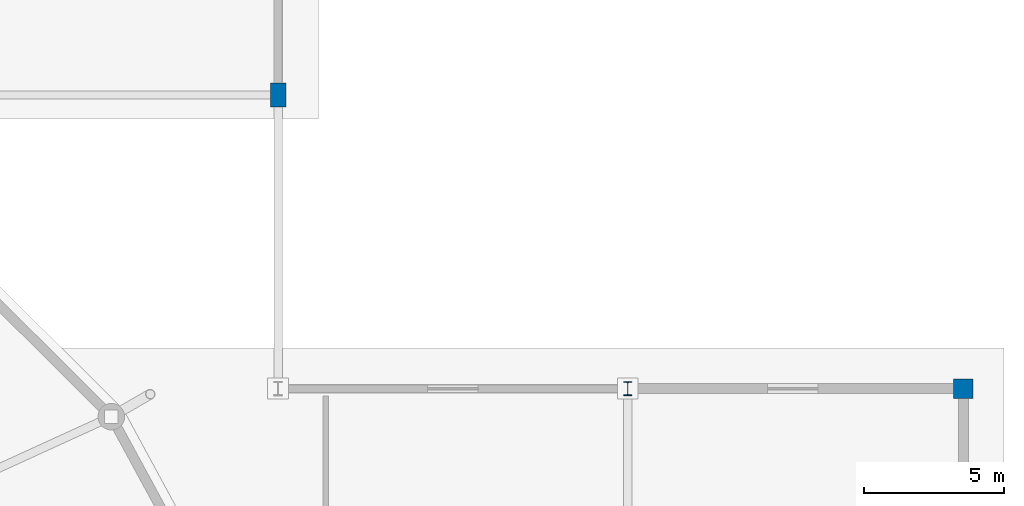
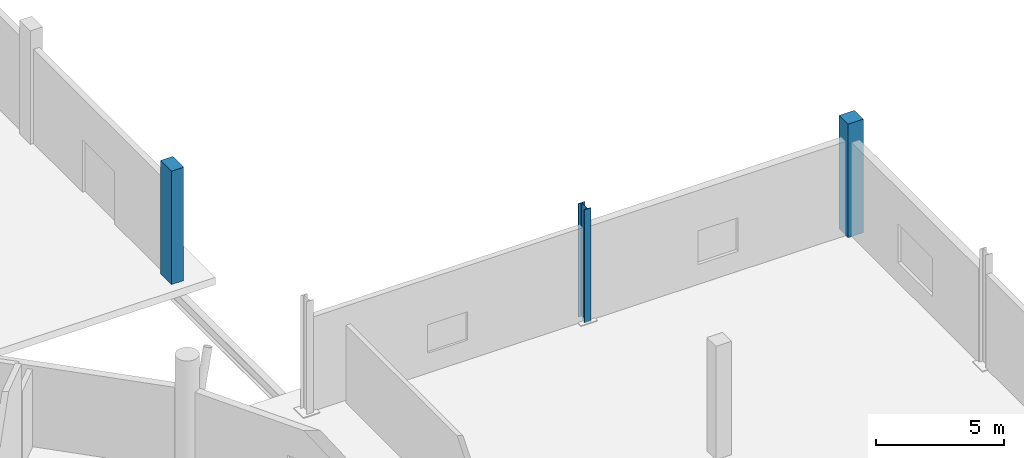
# One storey, part 16 of 82: 3 columns.
"""IFC4 building model written with IfcOpenShell, lengths in metres."""

from ifc_helpers import new_model, si_unit, direction, frame, origin, origin_2d, place, context, subcontext, project, spatial, rectangle, i_section, extrude, material, material_profile, profile_set, type_object, element, save


model = new_model("IFC4")

# Units and contexts
model_context = context("Model", 3, precision=1e-05, world=origin(), true_north=direction((0.0, 1.0)))
body_context = subcontext(model_context, "Body", "Model", "MODEL_VIEW")
ifc_project = project(units=[si_unit("LENGTHUNIT", "METRE"), si_unit("AREAUNIT", "SQUARE_METRE"), si_unit("VOLUMEUNIT", "CUBIC_METRE"), si_unit("PLANEANGLEUNIT", "RADIAN"), si_unit("MASSUNIT", "GRAM", prefix="KILO")], contexts=[model_context])

# Site, building, storey
site_placement = place(None, origin())
site = spatial("IfcSite", under=ifc_project, at=site_placement, CompositionType="ELEMENT")
building_placement = place(site_placement, origin())
building = spatial("IfcBuilding", under=site, at=building_placement, Name="Zlatoyarsky Gate Stadium", CompositionType="ELEMENT")
storey_placement = place(building_placement, origin())
storey = spatial("IfcBuildingStorey", under=building, at=storey_placement, Name="L00", CompositionType="ELEMENT", Elevation=0.0)

# Columns
ifc_material_1 = material(Name="Concrete C40/50", Category="concrete")
ifc_material_profile_1 = material_profile(ifc_material_1, rectangle(XDim=0.699951171875, YDim=0.699951171875, at=origin_2d()), Name="RC COL 700X700")
ifc_profile_set_1 = profile_set([ifc_material_profile_1], Name="Concrete C40/50")
column_type_1 = type_object("IfcColumnType", Name="CONCRETE COLUMN 700X700", PredefinedType="COLUMN", material=ifc_profile_set_1)
column_1_placement = place(storey_placement, frame((222.0, 116.5, 0.0), z_axis=(0.0, 0.0, 1.0), x_axis=(1.0, 0.0, 0.0)))
element("IfcColumn", 1, at=column_1_placement, inside=storey, type_object=column_type_1, Name="Column RC-C70 WG-19-L on L00", PredefinedType="COLUMN", context=body_context, shape_type="SweptSolid", body=[
    extrude(rectangle(XDim=0.699951171875, YDim=0.699951171875, at=origin_2d()), origin(), (0.0, 0.0, 1.0), 5.39990234375),
])
ifc_material_profile_2 = material_profile(ifc_material_1, rectangle(XDim=0.550048828125, YDim=0.85009765625, at=origin_2d()), Name="RC PILASTER 550X850")
ifc_profile_set_2 = profile_set([ifc_material_profile_2], Name="Concrete C40/50")
column_type_2 = type_object("IfcColumnType", Name="CONCRETE PORTAL PILASTER 550X850", PredefinedType="PILASTER", material=ifc_profile_set_2)
column_2_placement = place(storey_placement, frame((197.5, 127.0, 0.0), z_axis=(0.0, 0.0, 1.0), x_axis=(1.0, 0.0, 0.0)))
element("IfcColumn", 2, at=column_2_placement, inside=storey, type_object=column_type_2, Name="Column RC-PL85 WG-17-M on L00", PredefinedType="PILASTER", context=body_context, shape_type="SweptSolid", body=[
    extrude(rectangle(XDim=0.550048828125, YDim=0.85009765625, at=origin_2d()), origin(), (0.0, 0.0, 1.0), 5.39990234375),
])
ifc_material_2 = material(Name="Steel S355", Category="steel")
ifc_material_profile_3 = material_profile(ifc_material_2, i_section(OverallWidth=0.300048828125, OverallDepth=0.5, WebThickness=0.014404296875, FlangeThickness=0.028076171875, FilletRadius=0.027099609375, at=origin_2d()), Name="HEB 500")
ifc_profile_set_3 = profile_set([ifc_material_profile_3], Name="Steel S355")
column_type_3 = type_object("IfcColumnType", Name="STEEL COLUMN HEB 500", PredefinedType="COLUMN", material=ifc_profile_set_3)
column_3_placement = place(storey_placement, frame((210.0, 116.5, 0.0), z_axis=(0.0, 0.0, 1.0), x_axis=(1.0, 0.0, 0.0)))
element("IfcColumn", 3, at=column_3_placement, inside=storey, type_object=column_type_3, Name="Column ST-C500 WG-18-L on L00", PredefinedType="COLUMN", context=body_context, shape_type="SweptSolid", body=[
    extrude(i_section(OverallWidth=0.300048828125, OverallDepth=0.5, WebThickness=0.014404296875, FlangeThickness=0.028076171875, FilletRadius=0.027099609375, at=origin_2d()), origin(), (0.0, 0.0, 1.0), 5.39990234375),
])

save(model, "model.ifc")
